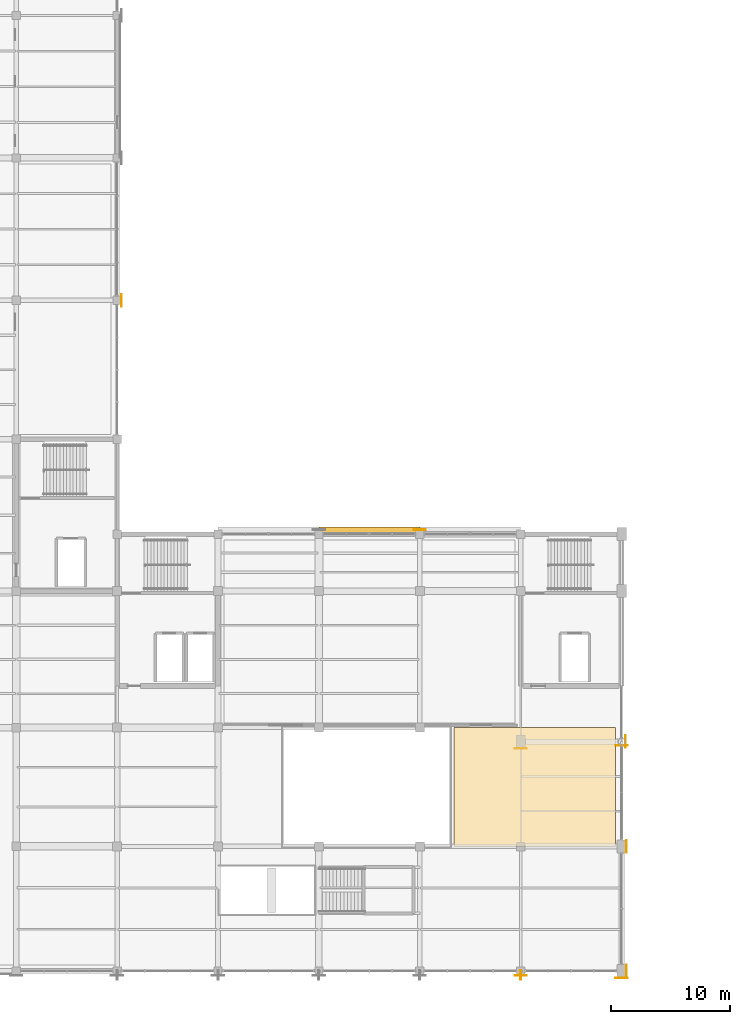
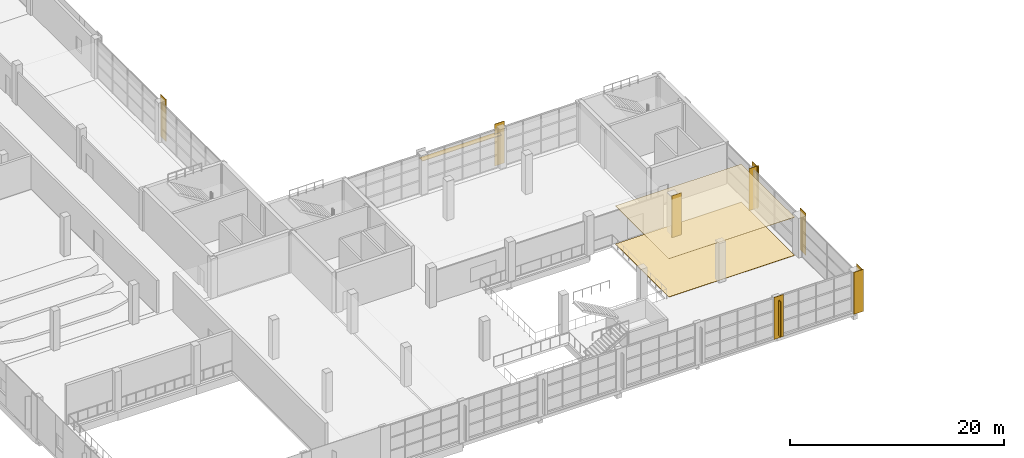
# One storey, part 103 of 112: 11 coverings, 2 shading devices.
"""IFC4 building model written with IfcOpenShell, lengths in metres."""

import ifcopenshell
import ifcopenshell.guid

model = None  # the IFC model being written
_history = None  # IfcOwnerHistory: only IFC2X3 demands one
_inside = {}  # id of a spatial element -> (the spatial element, [elements in it])
_under = {}  # id of a project, library or spatial element -> (it, [spatial elements below it])
_declared = {}  # id of a project -> (the project, [libraries it declares])
_typed = {}  # id of a type object -> (the type object, [elements of that type])
_made_of = {}  # id of a material, layer set ... -> (it, [elements and type objects made of it])


def new_model(schema):
    """Start an empty IFC model of exactly this schema.

    Asked for "IFC4X3", IfcOpenShell would pick the latest addendum, in which some entities
    have other attributes; the version numbers below select the first issue.
    IFC2X3 requires an IfcOwnerHistory on every rooted entity: one is made here for all.
    """
    global model, _history
    if schema == "IFC4X3":
        model = ifcopenshell.file(schema_version=(4, 3, 0, 0))
    else:
        model = ifcopenshell.file(schema=schema)
    _inside.clear()
    _under.clear()
    _declared.clear()
    _typed.clear()
    _made_of.clear()
    _history = None
    if model.schema == "IFC2X3":
        org = make("IfcOrganization", Name="unknown")
        user = make(
            "IfcPersonAndOrganization",
            ThePerson=make("IfcPerson", FamilyName="unknown"),
            TheOrganization=org,
        )
        app = make(
            "IfcApplication",
            ApplicationDeveloper=org,
            Version="unknown",
            ApplicationFullName="unknown",
            ApplicationIdentifier="unknown",
        )
        _history = make(
            "IfcOwnerHistory",
            OwningUser=user,
            OwningApplication=app,
            ChangeAction="ADDED",
            CreationDate=0,
        )
    return model


def make(cls, **values):
    """One entity of the class cls with the attributes given. An attribute that is None is left unset."""
    return model.create_entity(
        cls, **{name: value for name, value in values.items() if value is not None}
    )


def rooted(cls, **values):
    """An entity with a GlobalId (a new one), such as an element, a storey or a relation."""
    return make(cls, GlobalId=ifcopenshell.guid.new(), OwnerHistory=_history, **values)


def si_unit(unit_type, name, prefix=None):
    """IfcSIUnit, for example si_unit("LENGTHUNIT", "METRE", prefix="MILLI")."""
    return make("IfcSIUnit", UnitType=unit_type, Prefix=prefix, Name=name)


def assignment(units):
    """IfcUnitAssignment: the units of a project."""
    return None if units is None else make("IfcUnitAssignment", Units=units)


def point(xyz):
    """IfcCartesianPoint."""
    return None if xyz is None else make("IfcCartesianPoint", Coordinates=xyz)


def direction(xyz):
    """IfcDirection."""
    return None if xyz is None else make("IfcDirection", DirectionRatios=xyz)


def frame(location, z_axis=None, x_axis=None):
    """IfcAxis2Placement3D, a coordinate frame: its origin and axes. An axis left out is left unset."""
    return make(
        "IfcAxis2Placement3D",
        Location=point(location),
        Axis=direction(z_axis),
        RefDirection=direction(x_axis),
    )


def frame_2d(location, x_axis=None):
    """IfcAxis2Placement2D, a coordinate frame in the plane: its origin and x axis."""
    return make(
        "IfcAxis2Placement2D", Location=point(location), RefDirection=direction(x_axis)
    )


def origin():
    """The frame at (0, 0, 0) with its axes left unset."""
    return frame((0.0, 0.0, 0.0))


def origin_2d():
    """The frame at (0, 0) in the plane with its x axis left unset."""
    return frame_2d((0.0, 0.0))


def place(relative_to, where):
    """IfcLocalPlacement: puts the frame where relative to a parent placement (None: the world)."""
    return make(
        "IfcLocalPlacement", PlacementRelTo=relative_to, RelativePlacement=where
    )


def context(
    kind, dimensions, precision=None, world=None, true_north=None, identifier=None
):
    """IfcGeometricRepresentationContext, for example the 3D "Model" context."""
    return make(
        "IfcGeometricRepresentationContext",
        ContextIdentifier=identifier,
        ContextType=kind,
        CoordinateSpaceDimension=dimensions,
        Precision=precision,
        WorldCoordinateSystem=world,
        TrueNorth=true_north,
    )


def subcontext(parent, identifier, kind, view, scale=None):
    """IfcGeometricRepresentationSubContext, for example "Body" below "Model"."""
    return make(
        "IfcGeometricRepresentationSubContext",
        ContextIdentifier=identifier,
        ContextType=kind,
        ParentContext=parent,
        TargetScale=scale,
        TargetView=view,
    )


def project(units=None, contexts=None):
    """IfcProject with its units and contexts."""
    return rooted(
        "IfcProject",
        Name="project",
        RepresentationContexts=contexts,
        UnitsInContext=assignment(units),
    )


def spatial(cls, under=None, at=None, **own):
    """A site, building, storey or space (cls), placed at a placement, below another one or the project."""
    s = rooted(cls, ObjectPlacement=at, **own)
    if under is not None:
        _under.setdefault(under.id(), (under, []))[1].append(s)
    return s


def polyline(points):
    """IfcPolyline through the points."""
    return make("IfcPolyline", Points=[point(p) for p in points])


def profile(cls, at=None, kind="AREA", **sizes):
    """A parametric profile (cls). Its sizes go by their IFC names, for example OverallWidth=200.0."""
    return make(cls, ProfileType=kind, Position=at, **sizes)


def rectangle(**sizes):
    """IfcRectangleProfileDef."""
    return profile("IfcRectangleProfileDef", **sizes)


def hollow_rectangle(**sizes):
    """IfcRectangleHollowProfileDef."""
    return profile("IfcRectangleHollowProfileDef", **sizes)


def outline(outer, holes=None, kind="AREA"):
    """IfcArbitraryClosedProfileDef: a profile drawn as a closed curve; with holes, ...WithVoids."""
    if holes is None:
        return make("IfcArbitraryClosedProfileDef", ProfileType=kind, OuterCurve=outer)
    return make(
        "IfcArbitraryProfileDefWithVoids",
        ProfileType=kind,
        OuterCurve=outer,
        InnerCurves=holes,
    )


def extrude(swept, where, along, depth):
    """IfcExtrudedAreaSolid: the profile swept, set in the frame where, extruded along a direction by depth."""
    return make(
        "IfcExtrudedAreaSolid",
        SweptArea=swept,
        Position=where,
        ExtrudedDirection=direction(along),
        Depth=depth,
    )


def shape(context_of_items, identifier, shape_type, items):
    """IfcShapeRepresentation: the items that make up one representation, for example the "Body"."""
    return make(
        "IfcShapeRepresentation",
        ContextOfItems=context_of_items,
        RepresentationIdentifier=identifier,
        RepresentationType=shape_type,
        Items=items,
    )


def material(Name=None, Category=None):
    """IfcMaterial."""
    return make("IfcMaterial", Name=Name, Category=Category)


def layer(
    of_material, thickness, ventilated=None, Name=None, Category=None, Priority=None
):
    """IfcMaterialLayer: one layer of a wall or slab, of a material (None: an air gap)."""
    return make(
        "IfcMaterialLayer",
        Material=of_material,
        LayerThickness=thickness,
        IsVentilated=ventilated,
        Name=Name,
        Category=Category,
        Priority=Priority,
    )


def layer_set(layers, Name=None):
    """IfcMaterialLayerSet."""
    return make("IfcMaterialLayerSet", MaterialLayers=layers, LayerSetName=Name)


def material_profile(
    of_material, cross_section, Name=None, Category=None, Priority=None
):
    """IfcMaterialProfile: a cross section and its material."""
    return make(
        "IfcMaterialProfile",
        Name=Name,
        Material=of_material,
        Profile=cross_section,
        Priority=Priority,
        Category=Category,
    )


def profile_set(profiles, Name=None, composite=None):
    """IfcMaterialProfileSet."""
    return make(
        "IfcMaterialProfileSet",
        Name=Name,
        MaterialProfiles=profiles,
        CompositeProfile=composite,
    )


def made_of(thing, what):
    """Note that an element or type object is made of a material, layer set ...; save() writes the relation."""
    if what is not None:
        _made_of.setdefault(what.id(), (what, []))[1].append(thing)
    return thing


def type_object(cls, material=None, **own):
    """A type object (cls), such as IfcWallType, which elements share."""
    return made_of(rooted(cls, **own), material)


def element(
    cls,
    number,
    at=None,
    inside=None,
    cuts=None,
    type_object=None,
    material=None,
    context=None,
    identifier="Body",
    shape_type=None,
    held_by="IfcProductDefinitionShape",
    body=None,
    shapes=None,
    **own,
):
    """One element of the class cls, such as IfcWall. Its Tag is "e" and its number.

    at: its placement. inside: the storey or other place that contains it. cuts: it is an
    opening in that element (IfcRelVoidsElement). A single representation is given by context,
    identifier, shape_type and body (its items); several are given by shapes. held_by: the class
    of the entity that holds the representations. save() writes the other relations.
    """
    e = rooted(cls, Tag="e%d" % number, ObjectPlacement=at, **own)
    if body is not None:
        shapes = [shape(context, identifier, shape_type, body)]
    if shapes is not None:
        e.Representation = make(held_by, Representations=shapes)
    if inside is not None:
        _inside.setdefault(inside.id(), (inside, []))[1].append(e)
    if cuts is not None:
        rooted(
            "IfcRelVoidsElement", RelatingBuildingElement=cuts, RelatedOpeningElement=e
        )
    if type_object is not None:
        _typed.setdefault(type_object.id(), (type_object, []))[1].append(e)
    return made_of(e, material)


def aggregate(whole, parts):
    """IfcRelAggregates: a whole, such as a stair, and the parts it consists of."""
    return rooted("IfcRelAggregates", RelatingObject=whole, RelatedObjects=parts)


def save(model, path):
    """Write the relations noted so far, then the file.

    IfcRelAggregates (storeys below a building ...), IfcRelContainedInSpatialStructure (elements
    in a storey), IfcRelDefinesByType, IfcRelAssociatesMaterial and IfcRelDeclares: one each for
    every whole, place, type object, material and project.
    """
    for whole, parts in _under.values():
        aggregate(whole, parts)
    for where, things in _inside.values():
        rooted(
            "IfcRelContainedInSpatialStructure",
            RelatedElements=things,
            RelatingStructure=where,
        )
    for kind, things in _typed.values():
        rooted("IfcRelDefinesByType", RelatedObjects=things, RelatingType=kind)
    for what, things in _made_of.values():
        rooted("IfcRelAssociatesMaterial", RelatedObjects=things, RelatingMaterial=what)
    for by, libraries in _declared.values():
        rooted("IfcRelDeclares", RelatingContext=by, RelatedDefinitions=libraries)
    model.write(path)


model = new_model("IFC4")

# Units and contexts
model_context = context("Model", 3, precision=1e-05, world=origin(), true_north=direction((0.0, 1.0)))
body_context = subcontext(model_context, "Body", "Model", "MODEL_VIEW")
ifc_project = project(units=[si_unit("LENGTHUNIT", "METRE"), si_unit("AREAUNIT", "SQUARE_METRE"), si_unit("VOLUMEUNIT", "CUBIC_METRE"), si_unit("PLANEANGLEUNIT", "RADIAN"), si_unit("MASSUNIT", "GRAM", prefix="KILO")], contexts=[model_context])

# Site, building, storey
site_placement = place(None, origin())
site = spatial("IfcSite", under=ifc_project, at=site_placement, CompositionType="ELEMENT")
building_placement = place(site_placement, origin())
building = spatial("IfcBuilding", under=site, at=building_placement, Name="Solvikara Media Centre", CompositionType="ELEMENT")
storey_placement = place(building_placement, frame((0.0, 0.0, 5.39990234375)))
storey = spatial("IfcBuildingStorey", under=building, at=storey_placement, Name="L01", CompositionType="ELEMENT", Elevation=5.39990234375)

# Coverings
ifc_material_1 = material(Name="Perforated acoustic gypsum ceiling board")
ifc_layer_1 = layer(ifc_material_1, 0.0400390625)
ifc_layer_set_1 = layer_set([ifc_layer_1], Name="Perforated acoustic gypsum ceiling board")
covering_type_1 = type_object("IfcCoveringType", Name="CV-01", PredefinedType="CEILING", material=ifc_layer_set_1)
covering_1_placement = place(storey_placement, frame((0.0, 0.0, 4.35009765625)))
element("IfcCovering", 1, at=covering_1_placement, inside=storey, type_object=covering_type_1, Name="CLG-023", PredefinedType="CEILING", context=body_context, shape_type="SweptSolid", body=[
    extrude(outline(polyline([(62.39990234375, 10.5), (76.0, 10.5), (76.0, 20.5), (62.39990234375, 20.5), (62.39990234375, 10.5)])), origin(), (0.0, 0.0, 1.0), 0.0400390625),
])
ifc_material_2 = material(Name="Polished terrazzo floor finish")
ifc_layer_2 = layer(ifc_material_2, 0.030029296875)
ifc_layer_set_2 = layer_set([ifc_layer_2], Name="Polished terrazzo floor finish")
covering_type_2 = type_object("IfcCoveringType", Name="CV-02", PredefinedType="FLOORING", material=ifc_layer_set_2)
covering_2_placement = place(storey_placement, origin())
element("IfcCovering", 2, at=covering_2_placement, inside=storey, type_object=covering_type_2, Name="FLR-023", PredefinedType="FLOORING", context=body_context, shape_type="SweptSolid", body=[
    extrude(outline(polyline([(62.39990234375, 10.5), (76.0, 10.5), (76.0, 20.5), (62.39990234375, 20.5), (62.39990234375, 10.5)])), origin(), (0.0, 0.0, 1.0), 0.030029296875),
])
ifc_material_3 = material(Name="GFRC white mineral architectural rainscreen panel")
ifc_layer_3 = layer(ifc_material_3, 0.050048828125)
ifc_layer_set_3 = layer_set([ifc_layer_3], Name="GFRC white mineral architectural rainscreen panel")
covering_type_3 = type_object("IfcCoveringType", Name="CV-04", PredefinedType="CLADDING", material=ifc_layer_set_3)
for number, where, z_axis, x_axis, name in (
    (3, (34.375, 56.5, 0.0), (0.0, 0.0, 1.0), (0.0, 1.0, 0.0), "PIL-L01-070"),
    (4, (59.5, 37.175048828125, 0.0), (0.0, 0.0, 1.0), (-1.0, 0.0, 0.0), "PIL-L01-136"),
    (5, (68.0, -0.375, 0.0), (0.0, 0.0, 1.0), (1.0, 0.0, 0.0), "PIL-L01-140"),
    (6, (76.925048828125, 0.0, 0.0), (0.0, 0.0, 1.0), (0.0, 1.0, 0.0), "PIL-L01-153"),
    (7, (76.5, -0.574951171875, 0.0), (0.0, 0.0, 1.0), (1.0, 0.0, 0.0), "PIL-L01-154"),
    (8, (76.925048828125, 10.5, 0.0), (0.0, 0.0, 1.0), (0.0, 1.0, 0.0), "PIL-L01-158"),
    (9, (68.0, 18.7490234375, 0.0), (0.0, 0.0, 1.0), (1.0, 0.0, 0.0), "PIL-L01-161"),
    (10, (76.830078125, 19.323974609375, 0.0), (0.0, 0.0, 1.0), (0.0, 1.0, 0.0), "PIL-L01-173"),
    (11, (76.5, 18.993896484375, 0.0), (0.0, 0.0, 1.0), (1.0, 0.0, 0.0), "PIL-L01-174"),
):
    element("IfcCovering", number, at=place(storey_placement, frame(where, z_axis=z_axis, x_axis=x_axis)), inside=storey, type_object=covering_type_3, Name=name, PredefinedType="CLADDING", context=body_context, shape_type="SweptSolid", body=[
        extrude(rectangle(XDim=1.0400390625, YDim=0.050048828125, at=origin_2d()), origin(), (0.0, 0.0, 1.0), 4.800048828125),
    ])

# Shading devices
ifc_material_4 = material(Name="Anodised aluminium EN AW-6063", Category="aluminium")
ifc_material_profile_1 = material_profile(ifc_material_4, hollow_rectangle(XDim=0.080078125, YDim=0.800048828125, WallThickness=0.00390625, at=origin_2d()), Name="ALU-FIN 80x800x4")
ifc_profile_set_1 = profile_set([ifc_material_profile_1], Name="Anodised aluminium EN AW-6063")
shading_device_type_1 = type_object("IfcShadingDeviceType", Name="SH-01", PredefinedType="USERDEFINED", material=ifc_profile_set_1)
shading_device_1_placement = place(storey_placement, frame((68.0, -0.35009765625, 0.300048828125), z_axis=(0.0, 0.0, 1.0), x_axis=(1.0, 0.0, 0.0)))
element("IfcShadingDevice", 12, at=shading_device_1_placement, inside=storey, type_object=shading_device_type_1, Name="FIN-L01-005", ObjectType="FIN", PredefinedType="USERDEFINED", context=body_context, shape_type="SweptSolid", body=[
    extrude(hollow_rectangle(XDim=0.080078125, YDim=0.800048828125, WallThickness=0.00390625, at=origin_2d()), origin(), (0.0, 0.0, 1.0), 4.0),
])
ifc_material_profile_2 = material_profile(ifc_material_4, hollow_rectangle(XDim=0.60009765625, YDim=0.06005859375, WallThickness=0.00341796875, at=origin_2d()), Name="ALU-LOUVRE 60x600x3.5")
ifc_profile_set_2 = profile_set([ifc_material_profile_2], Name="Anodised aluminium EN AW-6063")
shading_device_type_2 = type_object("IfcShadingDeviceType", Name="SH-02", PredefinedType="JALOUSIE", material=ifc_profile_set_2)
shading_device_2_placement = place(storey_placement, frame((51.0, 37.10009765625, 3.60009765625), z_axis=(1.0, 0.0, 0.0), x_axis=(0.0, 1.0, 0.0)))
element("IfcShadingDevice", 13, at=shading_device_2_placement, inside=storey, type_object=shading_device_type_2, Name="LVR-L01-005", PredefinedType="JALOUSIE", context=body_context, shape_type="SweptSolid", body=[
    extrude(hollow_rectangle(XDim=0.60009765625, YDim=0.06005859375, WallThickness=0.00341796875, at=origin_2d()), origin(), (0.0, 0.0, 1.0), 8.5),
])

save(model, "model.ifc")
